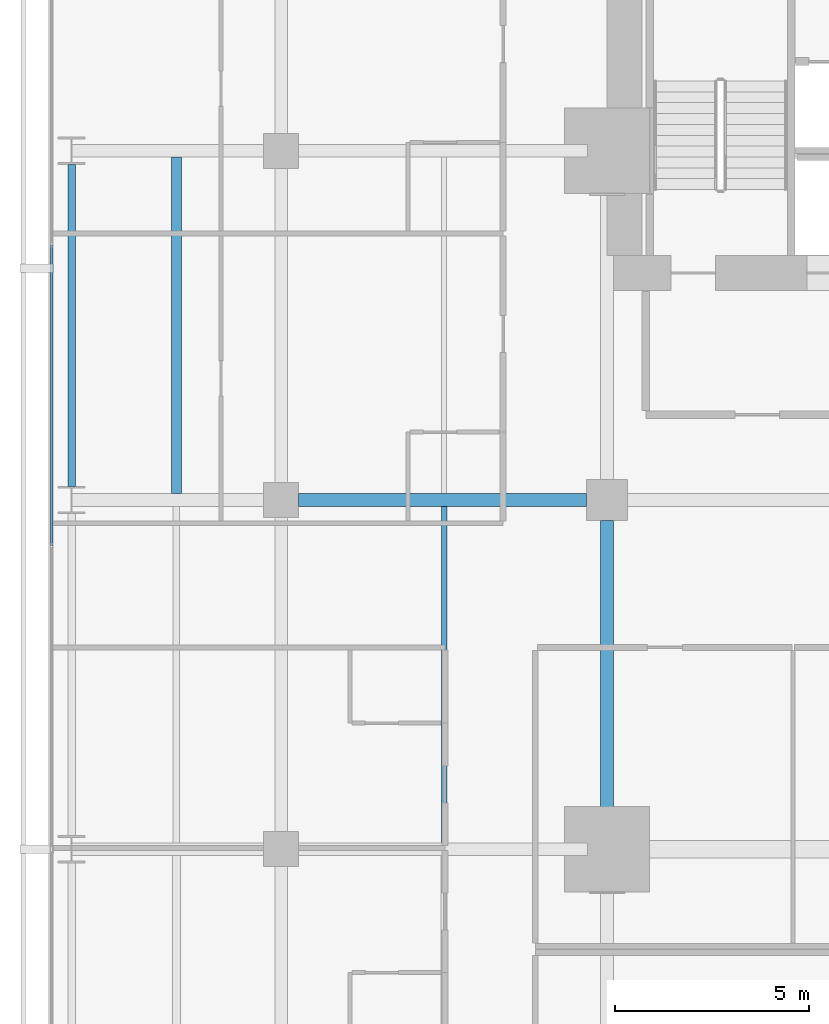
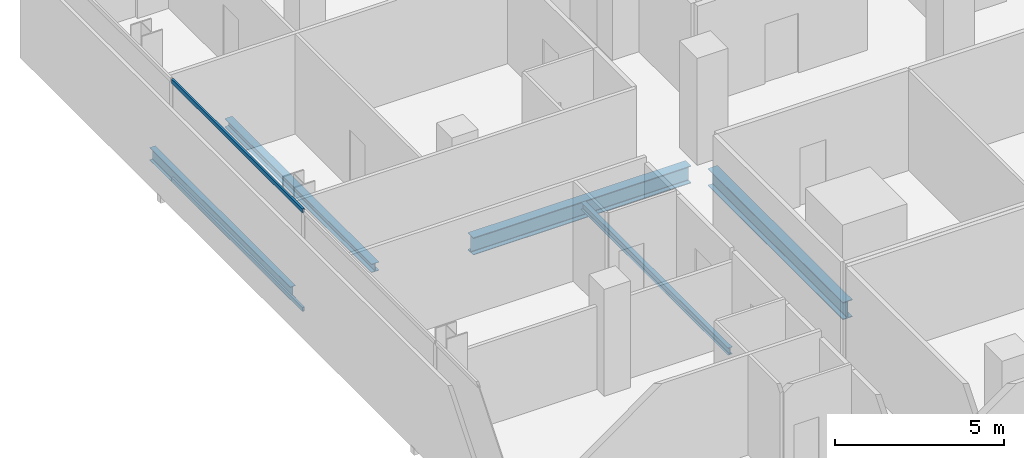
# One storey, part 22 of 40: 5 beams, 2 members, 1 element without a shape of its own.
"""IFC4 building model written with IfcOpenShell, lengths in metres."""

from ifc_helpers import new_model, si_unit, direction, frame, origin, origin_2d, place, context, subcontext, project, spatial, hollow_rectangle, i_section, extrude, material, layer, layer_set, material_profile, profile_set, type_object, element, aggregate, save


model = new_model("IFC4")

# Units and contexts
model_context = context("Model", 3, precision=1e-05, world=origin(), true_north=direction((0.0, 1.0)))
body_context = subcontext(model_context, "Body", "Model", "MODEL_VIEW")
ifc_project = project(units=[si_unit("LENGTHUNIT", "METRE"), si_unit("AREAUNIT", "SQUARE_METRE"), si_unit("VOLUMEUNIT", "CUBIC_METRE"), si_unit("PLANEANGLEUNIT", "RADIAN"), si_unit("MASSUNIT", "GRAM", prefix="KILO")], contexts=[model_context])

# Site, building, storey
site_placement = place(None, origin())
site = spatial("IfcSite", under=ifc_project, at=site_placement, CompositionType="ELEMENT")
building_placement = place(site_placement, origin())
building = spatial("IfcBuilding", under=site, at=building_placement, Name="Maruvema Waterfront Hotel and Observation Tower", CompositionType="ELEMENT")
storey_placement = place(building_placement, frame((0.0, 0.0, 42.35009765625)))
storey = spatial("IfcBuildingStorey", under=building, at=storey_placement, Name="L09", CompositionType="ELEMENT", Elevation=42.35009765625)

# Curtain wall, members
ifc_material_1 = material(Name="Anodised bronze aluminium and solar-control low-E IGU", Category="aluminium")
ifc_layer = layer(ifc_material_1, 0.159912109375, Name="Zone 1 Bronze Inner Thermal Curtain Wall System CW-02")
ifc_layer_set = layer_set([ifc_layer], Name="Anodised bronze aluminium and solar-control low-E IGU")
curtain_wall_type = type_object("IfcCurtainWallType", Name="Zone 1 Bronze Inner Thermal Curtain Wall System CW-02", PredefinedType="USERDEFINED", material=ifc_layer_set)
curtain_wall_placement = place(storey_placement, origin())
curtain_wall = element("IfcCurtainWall", 1, at=curtain_wall_placement, inside=storey, type_object=curtain_wall_type, Name="L09 Curtain Wall CW-L09-W", ObjectType="UNITISED CURTAIN WALL", PredefinedType="USERDEFINED")
ifc_material_2 = material(Name="Anodised architectural bronze aluminium", Category="aluminium")
ifc_material_profile_1 = material_profile(ifc_material_2, hollow_rectangle(XDim=0.070068359375, YDim=0.14990234375, WallThickness=0.00390625, at=origin_2d()), Name="ALU-T70x150")
ifc_profile_set_1 = profile_set([ifc_material_profile_1], Name="Anodised architectural bronze aluminium")
member_type = type_object("IfcMemberType", Name="Curtain Wall Horizontal Transom ALU-T70x150", PredefinedType="USERDEFINED", material=ifc_profile_set_1)
member_1_placement = place(storey_placement, frame((10.8798828125, 42.570068359375, 0.02978515625), z_axis=(0.0, -1.0, 0.0), x_axis=(1.0, 0.0, 0.0)))
member_1 = element("IfcMember", 2, at=member_1_placement, type_object=member_type, Name="CW-02 transom 2.1", ObjectType="TRANSOM", PredefinedType="USERDEFINED", context=body_context, shape_type="SweptSolid", body=[
    extrude(hollow_rectangle(XDim=0.070068359375, YDim=0.14990234375, WallThickness=0.00390625, at=origin_2d()), origin(), (0.0, 0.0, 1.0), 7.739990234375),
])
member_2_placement = place(storey_placement, frame((10.8798828125, 42.570068359375, 3.579833984375), z_axis=(0.0, -1.0, 0.0), x_axis=(1.0, 0.0, 0.0)))
member_2 = element("IfcMember", 3, at=member_2_placement, type_object=member_type, Name="CW-02 transom 2.2", ObjectType="TRANSOM", PredefinedType="USERDEFINED", context=body_context, shape_type="SweptSolid", body=[
    extrude(hollow_rectangle(XDim=0.070068359375, YDim=0.14990234375, WallThickness=0.00390625, at=origin_2d()), origin(), (0.0, 0.0, 1.0), 7.739990234375),
])
aggregate(curtain_wall, [member_1, member_2])

# Beams
ifc_material_3 = material(Name="Steel ASTM A572 Grade 50", Category="steel")
ifc_material_profile_2 = material_profile(ifc_material_3, i_section(OverallWidth=0.18994140625, OverallDepth=0.45703125, WebThickness=0.009033203125, FlangeThickness=0.014404296875, FilletRadius=0.014892578125, at=origin_2d()), Name="W460x74.0")
ifc_profile_set_2 = profile_set([ifc_material_profile_2], Name="Steel ASTM A572 Grade 50")
beam_type_1 = type_object("IfcBeamType", Name="Perimeter Spandrel Beam W460x74.0", PredefinedType="SPANDREL", material=ifc_profile_set_2)
beam_1_placement = place(storey_placement, frame((11.39990234375, 36.35009765625, -0.468505859375), z_axis=(0.0, 1.0, 0.0), x_axis=(-1.0, 0.0, 0.0)))
element("IfcBeam", 4, at=beam_1_placement, inside=storey, type_object=beam_type_1, Name="L09 Floor Girder NS-04", PredefinedType="SPANDREL", context=body_context, shape_type="SweptSolid", body=[
    extrude(i_section(OverallWidth=0.18994140625, OverallDepth=0.45703125, WebThickness=0.009033203125, FlangeThickness=0.014404296875, FilletRadius=0.014892578125, at=origin_2d()), origin(), (0.0, 0.0, 1.0), 8.2998046875),
])
ifc_material_4 = material(Name="Steel ASTM A572 Grade 50", Category="steel")
ifc_material_profile_3 = material_profile(ifc_material_4, i_section(OverallWidth=0.326904296875, OverallDepth=0.6220703125, WebThickness=0.015380859375, FlangeThickness=0.0244140625, FilletRadius=0.01806640625, at=origin_2d()), Name="W610x195.0")
ifc_profile_set_3 = profile_set([ifc_material_profile_3], Name="Steel ASTM A572 Grade 50")
beam_type_2 = type_object("IfcBeamType", Name="Primary Floor Girder W610x195.0", PredefinedType="BEAM", material=ifc_profile_set_3)
beam_2_placement = place(storey_placement, frame((17.25, 36.0, -0.551025390625), z_axis=(1.0, 0.0, 0.0), x_axis=(0.0, 1.0, 0.0)))
element("IfcBeam", 5, at=beam_2_placement, inside=storey, type_object=beam_type_2, Name="L09 Floor Girder EW-26", PredefinedType="BEAM", context=body_context, shape_type="SweptSolid", body=[
    extrude(i_section(OverallWidth=0.326904296875, OverallDepth=0.6220703125, WebThickness=0.015380859375, FlangeThickness=0.0244140625, FilletRadius=0.01806640625, at=origin_2d()), origin(), (0.0, 0.0, 1.0), 7.425048828125),
])
beam_3_placement = place(storey_placement, frame((25.199951171875, 27.5, -0.551025390625), z_axis=(0.0, 1.0, 0.0), x_axis=(-1.0, 0.0, 0.0)))
element("IfcBeam", 6, at=beam_3_placement, inside=storey, type_object=beam_type_2, Name="L09 Floor Girder NS-14", PredefinedType="BEAM", context=body_context, shape_type="SweptSolid", body=[
    extrude(i_section(OverallWidth=0.326904296875, OverallDepth=0.6220703125, WebThickness=0.015380859375, FlangeThickness=0.0244140625, FilletRadius=0.01806640625, at=origin_2d()), origin(), (0.0, 0.0, 1.0), 7.97509765625),
])
ifc_material_5 = material(Name="Steel ASTM A572 Grade 50", Category="steel")
ifc_material_profile_4 = material_profile(ifc_material_5, i_section(OverallWidth=0.14599609375, OverallDepth=0.258056640625, WebThickness=0.006103515625, FlangeThickness=0.009033203125, FilletRadius=0.012939453125, at=origin_2d()), Name="W250x32.7")
ifc_profile_set_4 = profile_set([ifc_material_profile_4], Name="Steel ASTM A572 Grade 50")
beam_type_3 = type_object("IfcBeamType", Name="Secondary Floor Joist W250x32.7", PredefinedType="JOIST", material=ifc_profile_set_4)
beam_4_placement = place(storey_placement, frame((21.0, 27.16357421875, -0.369140625), z_axis=(0.0, 1.0, 0.0), x_axis=(-1.0, 0.0, 0.0)))
element("IfcBeam", 7, at=beam_4_placement, inside=storey, type_object=beam_type_3, Name="L09 Secondary Floor Joist JS-08", PredefinedType="JOIST", context=body_context, shape_type="SweptSolid", body=[
    extrude(i_section(OverallWidth=0.14599609375, OverallDepth=0.258056640625, WebThickness=0.006103515625, FlangeThickness=0.009033203125, FilletRadius=0.012939453125, at=origin_2d()), origin(), (0.0, 0.0, 1.0), 8.6728515625),
])
ifc_material_6 = material(Name="Steel ASTM A572 Grade 50", Category="steel")
ifc_material_profile_5 = material_profile(ifc_material_6, i_section(OverallWidth=0.25390625, OverallDepth=0.305908203125, WebThickness=0.0087890625, FlangeThickness=0.0146484375, FilletRadius=0.014892578125, at=origin_2d()), Name="W310x79.0")
ifc_profile_set_5 = profile_set([ifc_material_profile_5], Name="Steel ASTM A572 Grade 50")
beam_type_4 = type_object("IfcBeamType", Name="Secondary Floor Joist W310x79.0", PredefinedType="JOIST", material=ifc_profile_set_5)
beam_5_placement = place(storey_placement, frame((14.10009765625, 36.16357421875, -0.39306640625), z_axis=(0.0, 1.0, 0.0), x_axis=(-1.0, 0.0, 0.0)))
element("IfcBeam", 8, at=beam_5_placement, inside=storey, type_object=beam_type_4, Name="L09 Secondary Floor Joist JS-04", PredefinedType="JOIST", context=body_context, shape_type="SweptSolid", body=[
    extrude(i_section(OverallWidth=0.25390625, OverallDepth=0.305908203125, WebThickness=0.0087890625, FlangeThickness=0.0146484375, FilletRadius=0.014892578125, at=origin_2d()), origin(), (0.0, 0.0, 1.0), 8.6728515625),
])

save(model, "model.ifc")
